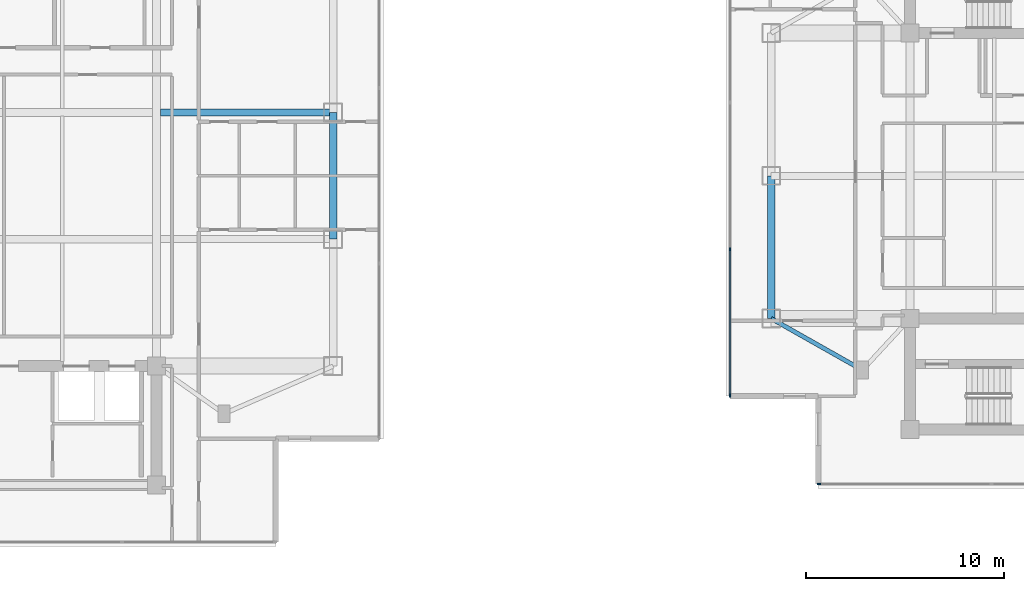
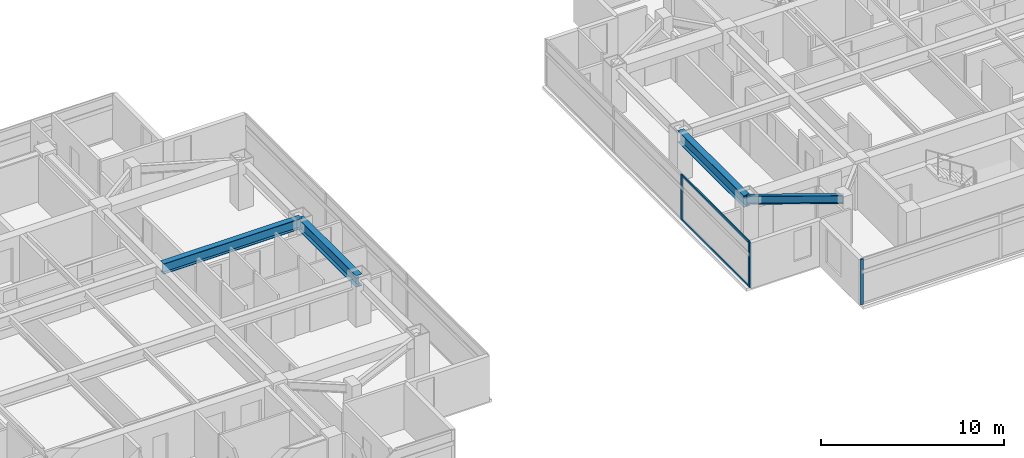
# One storey, part 5 of 24: 5 members, 4 beams, 2 elements without a shape of their own.
"""IFC4 building model written with IfcOpenShell, lengths in metres."""

from ifc_helpers import new_model, si_unit, direction, frame, origin, origin_2d, place, context, subcontext, project, spatial, rectangle, i_section, extrude, material, material_profile, profile_set, type_object, element, aggregate, save


model = new_model("IFC4")

# Units and contexts
model_context = context("Model", 3, precision=1e-05, world=origin(), true_north=direction((0.0, 1.0)))
body_context = subcontext(model_context, "Body", "Model", "MODEL_VIEW")
ifc_project = project(units=[si_unit("LENGTHUNIT", "METRE"), si_unit("AREAUNIT", "SQUARE_METRE"), si_unit("VOLUMEUNIT", "CUBIC_METRE"), si_unit("PLANEANGLEUNIT", "RADIAN"), si_unit("MASSUNIT", "GRAM", prefix="KILO")], contexts=[model_context])

# Site, building, storey
site_placement = place(None, origin())
site = spatial("IfcSite", under=ifc_project, at=site_placement, CompositionType="ELEMENT")
building_placement = place(site_placement, origin())
building = spatial("IfcBuilding", under=site, at=building_placement, Name="Mirazonda Arch Towers", CompositionType="ELEMENT")
storey_placement = place(building_placement, frame((0.0, 0.0, 199.89990234375)))
storey = spatial("IfcBuildingStorey", under=building, at=storey_placement, Name="L57", CompositionType="ELEMENT", Elevation=199.89990234375)

# Beams
ifc_material_1 = material(Name="Steel ASTM A992 Grade 50", Category="steel")
ifc_material_profile_1 = material_profile(ifc_material_1, i_section(OverallWidth=0.381103515625, OverallDepth=0.77294921875, WebThickness=0.0166015625, FlangeThickness=0.027099609375, at=origin_2d()), Name="W30X173")
ifc_profile_set_1 = profile_set([ifc_material_profile_1], Name="Steel ASTM A992 Grade 50")
beam_type_1 = type_object("IfcBeamType", Name="BM-EXT-W30X173", PredefinedType="USERDEFINED", material=ifc_profile_set_1)
beam_1_placement = place(storey_placement, frame((38.89990234375, 24.800048828125, 2.66357421875), z_axis=(0.0, 1.0, 0.0), x_axis=(-1.0, 0.0, 0.0)))
element("IfcBeam", 1, at=beam_1_placement, inside=storey, type_object=beam_type_1, Name="L57 Floor Beam BM-T1-L57-NS-E-24", ObjectType="GIRDER", PredefinedType="USERDEFINED", context=body_context, shape_type="SweptSolid", body=[
    extrude(i_section(OverallWidth=0.381103515625, OverallDepth=0.77294921875, WebThickness=0.0166015625, FlangeThickness=0.027099609375, at=origin_2d()), origin(), (0.0, 0.0, 1.0), 6.39990234375),
])
beam_2_placement = place(storey_placement, frame((61.0, 20.800048828125, 2.66357421875), z_axis=(0.0, 1.0, 0.0), x_axis=(-1.0, 0.0, 0.0)))
element("IfcBeam", 2, at=beam_2_placement, inside=storey, type_object=beam_type_1, Name="L57 Floor Beam BM-T2-L57-NS-W-20", ObjectType="GIRDER", PredefinedType="USERDEFINED", context=body_context, shape_type="SweptSolid", body=[
    extrude(i_section(OverallWidth=0.381103515625, OverallDepth=0.77294921875, WebThickness=0.0166015625, FlangeThickness=0.027099609375, at=origin_2d()), origin(), (0.0, 0.0, 1.0), 7.199951171875),
])
ifc_material_profile_2 = material_profile(ifc_material_1, i_section(OverallWidth=0.214111328125, OverallDepth=0.549072265625, WebThickness=0.0146484375, FlangeThickness=0.023681640625, at=origin_2d()), Name="W21X93")
ifc_profile_set_2 = profile_set([ifc_material_profile_2], Name="Steel ASTM A992 Grade 50")
beam_type_2 = type_object("IfcBeamType", Name="BM-INT-W21X93", PredefinedType="BEAM", material=ifc_profile_set_2)
beam_3_placement = place(storey_placement, frame((65.60009765625, 18.199951171875, 2.775634765625), z_axis=(-0.870559396632, 0.492063346467, 0.0), x_axis=(-0.492063346467, -0.870559396632, 0.0)))
element("IfcBeam", 3, at=beam_3_placement, inside=storey, type_object=beam_type_2, Name="L57 Floor Beam BM-T2-L57-PL-SW2", PredefinedType="BEAM", context=body_context, shape_type="SweptSolid", body=[
    extrude(i_section(OverallWidth=0.214111328125, OverallDepth=0.549072265625, WebThickness=0.0146484375, FlangeThickness=0.023681640625, at=origin_2d()), origin(), (0.0, 0.0, 1.0), 5.2841796875),
])
ifc_material_profile_3 = material_profile(ifc_material_1, i_section(OverallWidth=0.35498046875, OverallDepth=0.696044921875, WebThickness=0.015380859375, FlangeThickness=0.02490234375, at=origin_2d()), Name="W27X146")
ifc_profile_set_3 = profile_set([ifc_material_profile_3], Name="Steel ASTM A992 Grade 50")
beam_type_3 = type_object("IfcBeamType", Name="BM-INT-W27X146", PredefinedType="BEAM", material=ifc_profile_set_3)
beam_4_placement = place(storey_placement, frame((30.199951171875, 31.199951171875, 2.7021484375), z_axis=(1.0, 0.0, 0.0), x_axis=(0.0, 1.0, 0.0)))
element("IfcBeam", 4, at=beam_4_placement, inside=storey, type_object=beam_type_3, Name="L57 Floor Beam BM-T1-L57-GE3", PredefinedType="BEAM", context=body_context, shape_type="SweptSolid", body=[
    extrude(i_section(OverallWidth=0.35498046875, OverallDepth=0.696044921875, WebThickness=0.015380859375, FlangeThickness=0.02490234375, at=origin_2d()), origin(), (0.0, 0.0, 1.0), 8.699951171875),
])

# Curtain wall, member
ifc_material_2 = material(Name="Anodised Aluminium and Low-E Glass", Category="aluminium")
curtain_wall_type = type_object("IfcCurtainWallType", Name="CW-RES-UNIT", PredefinedType="NOTDEFINED", material=ifc_material_2)
curtain_wall_1_placement = place(storey_placement, origin())
curtain_wall_1 = element("IfcCurtainWall", 5, at=curtain_wall_1_placement, inside=storey, type_object=curtain_wall_type, Name="L57 T2 S Facade CW-L57-T2-S", PredefinedType="NOTDEFINED")
ifc_material_3 = material(Name="Anodised Aluminium Alloy", Category="aluminium")
ifc_material_profile_4 = material_profile(ifc_material_3, rectangle(XDim=0.074951171875, YDim=0.175048828125, at=origin_2d()), Name="ALU-MULL-75x175")
ifc_profile_set_4 = profile_set([ifc_material_profile_4], Name="Anodised Aluminium Alloy")
member_type_1 = type_object("IfcMemberType", Name="MULL-CW-RES-UNIT", PredefinedType="MULLION", material=ifc_profile_set_4)
member_1_placement = place(storey_placement, frame((63.40966796875, 12.445068359375, 0.0), z_axis=(0.0, 0.0, 1.0), x_axis=(0.0, -1.0, 0.0)))
member_1 = element("IfcMember", 6, at=member_1_placement, type_object=member_type_1, Name="CW-104 mullion 4", PredefinedType="MULLION", context=body_context, shape_type="SweptSolid", body=[
    extrude(rectangle(XDim=0.074951171875, YDim=0.175048828125, at=origin_2d()), origin(), (0.0, 0.0, 1.0), 3.030029296875),
])
aggregate(curtain_wall_1, [member_1])

# Curtain wall, members
curtain_wall_2_placement = place(storey_placement, origin())
curtain_wall_2 = element("IfcCurtainWall", 7, at=curtain_wall_2_placement, inside=storey, type_object=curtain_wall_type, Name="L57 T2 W Facade CW-L57-T2-W", PredefinedType="NOTDEFINED")
member_2_placement = place(storey_placement, frame((58.9326171875, 24.294921875, 0.0), z_axis=(0.0, 0.0, 1.0), x_axis=(1.0, 0.0, 0.0)))
member_2 = element("IfcMember", 8, at=member_2_placement, type_object=member_type_1, Name="CW-104 mullion 3", PredefinedType="MULLION", context=body_context, shape_type="SweptSolid", body=[
    extrude(rectangle(XDim=0.074951171875, YDim=0.175048828125, at=origin_2d()), origin(), (0.0, 0.0, 1.0), 3.030029296875),
])
member_3_placement = place(storey_placement, frame((58.9326171875, 16.922119140625, 0.0), z_axis=(0.0, 0.0, 1.0), x_axis=(1.0, 0.0, 0.0)))
member_3 = element("IfcMember", 9, at=member_3_placement, type_object=member_type_1, Name="CW-104 mullion 4", PredefinedType="MULLION", context=body_context, shape_type="SweptSolid", body=[
    extrude(rectangle(XDim=0.074951171875, YDim=0.175048828125, at=origin_2d()), origin(), (0.0, 0.0, 1.0), 3.030029296875),
])
ifc_material_profile_5 = material_profile(ifc_material_3, rectangle(XDim=0.074951171875, YDim=0.155029296875, at=origin_2d()), Name="ALU-TRAN-75x155")
ifc_profile_set_5 = profile_set([ifc_material_profile_5], Name="Anodised Aluminium Alloy")
member_type_2 = type_object("IfcMemberType", Name="TRAN-CW-RES-UNIT", PredefinedType="USERDEFINED", material=ifc_profile_set_5)
member_4_placement = place(storey_placement, frame((58.9326171875, 24.25732421875, 0.03759765625), z_axis=(0.0, -1.0, 0.0), x_axis=(1.0, 0.0, 0.0)))
member_4 = element("IfcMember", 10, at=member_4_placement, type_object=member_type_2, Name="CW-104 transom 3.1", ObjectType="TRANSOM", PredefinedType="USERDEFINED", context=body_context, shape_type="SweptSolid", body=[
    extrude(rectangle(XDim=0.074951171875, YDim=0.155029296875, at=origin_2d()), origin(), (0.0, 0.0, 1.0), 7.297607421875),
])
member_5_placement = place(storey_placement, frame((58.9326171875, 24.25732421875, 2.99267578125), z_axis=(0.0, -1.0, 0.0), x_axis=(1.0, 0.0, 0.0)))
member_5 = element("IfcMember", 11, at=member_5_placement, type_object=member_type_2, Name="CW-104 transom 3.2", ObjectType="TRANSOM", PredefinedType="USERDEFINED", context=body_context, shape_type="SweptSolid", body=[
    extrude(rectangle(XDim=0.074951171875, YDim=0.155029296875, at=origin_2d()), origin(), (0.0, 0.0, 1.0), 7.297607421875),
])
aggregate(curtain_wall_2, [member_2, member_3, member_4, member_5])

save(model, "model.ifc")
